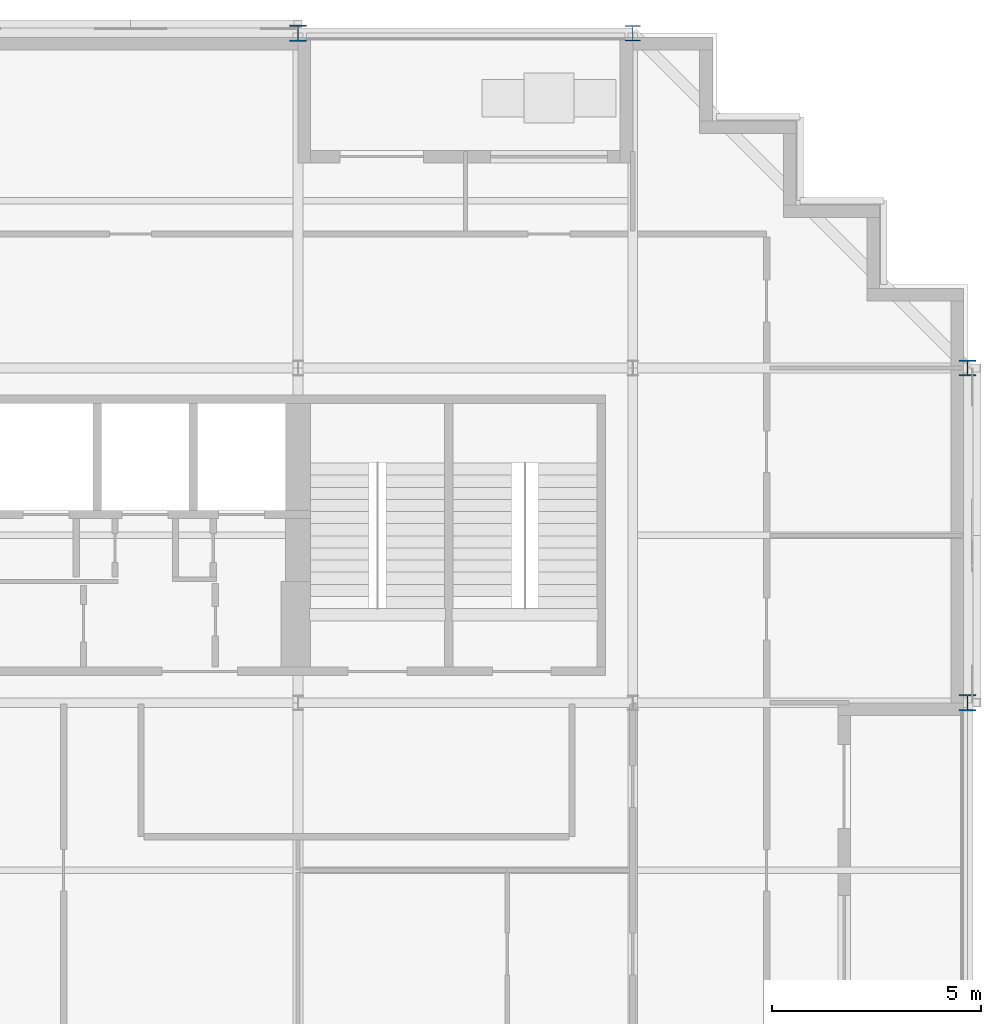
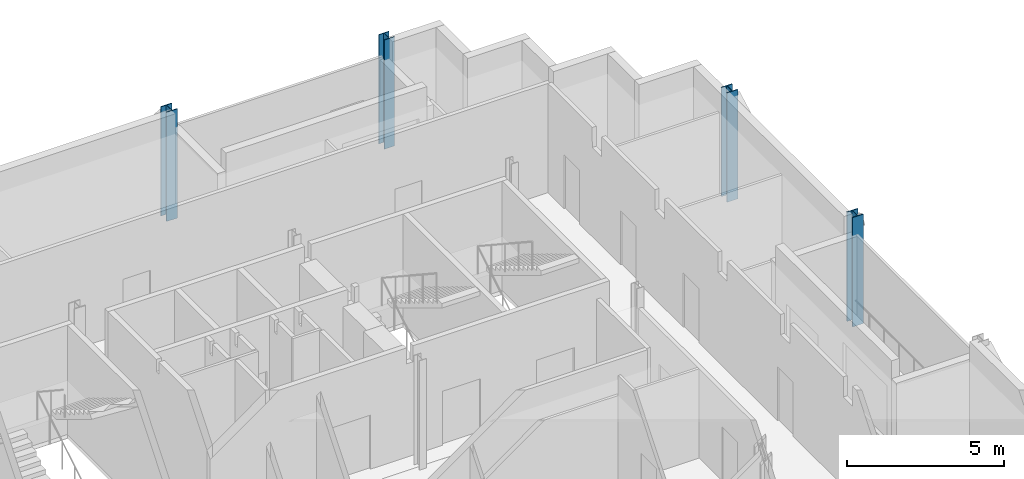
# One storey, part 3 of 15: 4 columns.
"""IFC4 building model written with IfcOpenShell, lengths in metres."""

from ifc_helpers import new_model, si_unit, direction, frame, origin, origin_2d, place, context, subcontext, project, spatial, i_section, extrude, material, material_profile, profile_set, type_object, element, save


model = new_model("IFC4")

# Units and contexts
model_context = context("Model", 3, precision=1e-05, world=origin(), true_north=direction((0.0, 1.0)))
body_context = subcontext(model_context, "Body", "Model", "MODEL_VIEW")
ifc_project = project(units=[si_unit("LENGTHUNIT", "METRE"), si_unit("AREAUNIT", "SQUARE_METRE"), si_unit("VOLUMEUNIT", "CUBIC_METRE"), si_unit("PLANEANGLEUNIT", "RADIAN"), si_unit("MASSUNIT", "GRAM", prefix="KILO")], contexts=[model_context])

# Site, building, storey
site_placement = place(None, origin())
site = spatial("IfcSite", under=ifc_project, at=site_placement, CompositionType="ELEMENT")
building_placement = place(site_placement, origin())
building = spatial("IfcBuilding", under=site, at=building_placement, Name="Immortelle Media Tower", CompositionType="ELEMENT")
storey_placement = place(building_placement, frame((0.0, 0.0, 87.60009765625)))
storey = spatial("IfcBuildingStorey", under=building, at=storey_placement, Name="L16", CompositionType="ELEMENT", Elevation=87.60009765625)

# Columns
ifc_material = material(Name="Steel ASTM A992 Gr 50", Category="steel")
ifc_material_profile_1 = material_profile(ifc_material, i_section(OverallWidth=0.373046875, OverallDepth=0.367919921875, WebThickness=0.014892578125, FlangeThickness=0.02392578125, at=origin_2d()), Name="W14x120")
ifc_profile_set_1 = profile_set([ifc_material_profile_1], Name="Steel ASTM A992 Gr 50")
column_type_1 = type_object("IfcColumnType", Name="W14x120 column", PredefinedType="COLUMN", material=ifc_profile_set_1)
column_placement = place(storey_placement, frame((40.0, 48.0, 0.0), z_axis=(0.0, 0.0, 1.0), x_axis=(1.0, 0.0, 0.0)))
element("IfcColumn", 1, at=column_placement, inside=storey, type_object=column_type_1, Name="Column 6/G", PredefinedType="COLUMN", context=body_context, shape_type="SweptSolid", body=[
    extrude(i_section(OverallWidth=0.373046875, OverallDepth=0.367919921875, WebThickness=0.014892578125, FlangeThickness=0.02392578125, at=origin_2d()), origin(), (0.0, 0.0, 1.0), 4.25),
])
ifc_material_profile_2 = material_profile(ifc_material, i_section(OverallWidth=0.39892578125, OverallDepth=0.385986328125, WebThickness=0.02099609375, FlangeThickness=0.032958984375, at=origin_2d()), Name="W14x176")
ifc_profile_set_2 = profile_set([ifc_material_profile_2], Name="Steel ASTM A992 Gr 50")
column_type_2 = type_object("IfcColumnType", Name="W14x176 column", PredefinedType="COLUMN", material=ifc_profile_set_2)
for number, where, z_axis, x_axis, name in (
    (2, (32.0, 48.0, 0.0), (0.0, 0.0, 1.0), (1.0, 0.0, 0.0), "Column 5/G"),
    (3, (48.0, 32.0, 0.0), (0.0, 0.0, 1.0), (1.0, 0.0, 0.0), "Column 7/E"),
    (4, (48.0, 40.0, 0.0), (0.0, 0.0, 1.0), (1.0, 0.0, 0.0), "Column 7/F"),
):
    element("IfcColumn", number, at=place(storey_placement, frame(where, z_axis=z_axis, x_axis=x_axis)), inside=storey, type_object=column_type_2, Name=name, PredefinedType="COLUMN", context=body_context, shape_type="SweptSolid", body=[
        extrude(i_section(OverallWidth=0.39892578125, OverallDepth=0.385986328125, WebThickness=0.02099609375, FlangeThickness=0.032958984375, at=origin_2d()), origin(), (0.0, 0.0, 1.0), 4.25),
    ])

save(model, "model.ifc")
